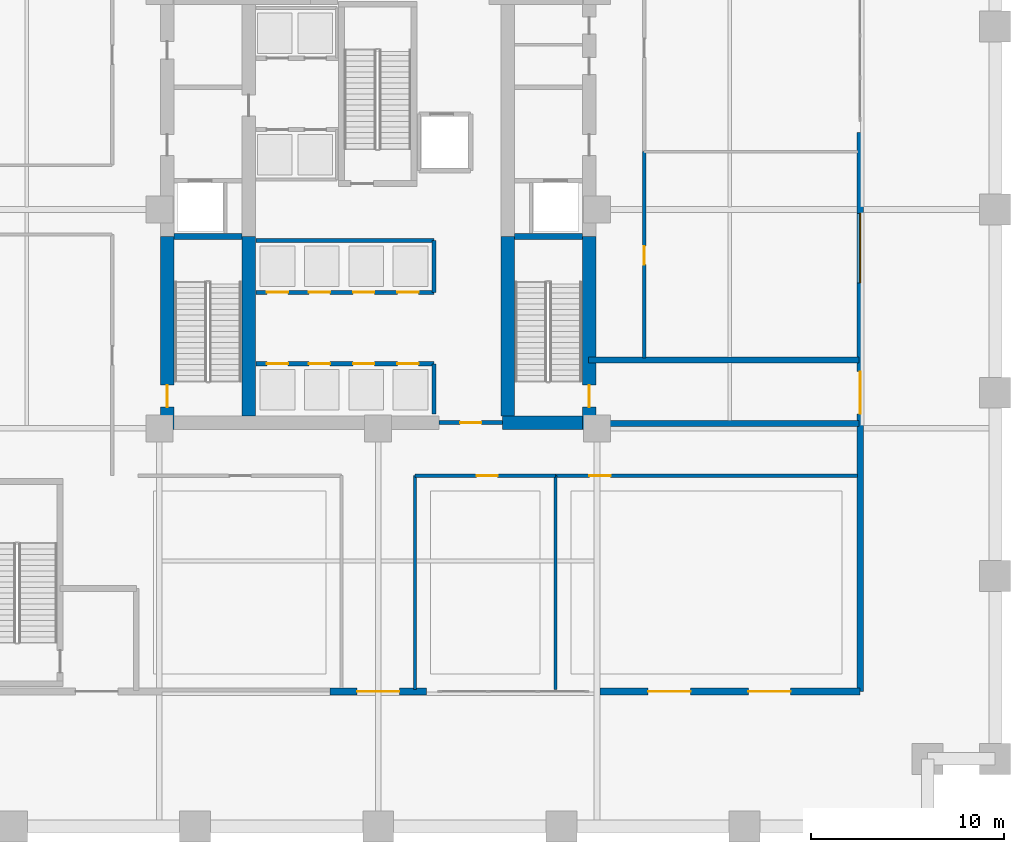
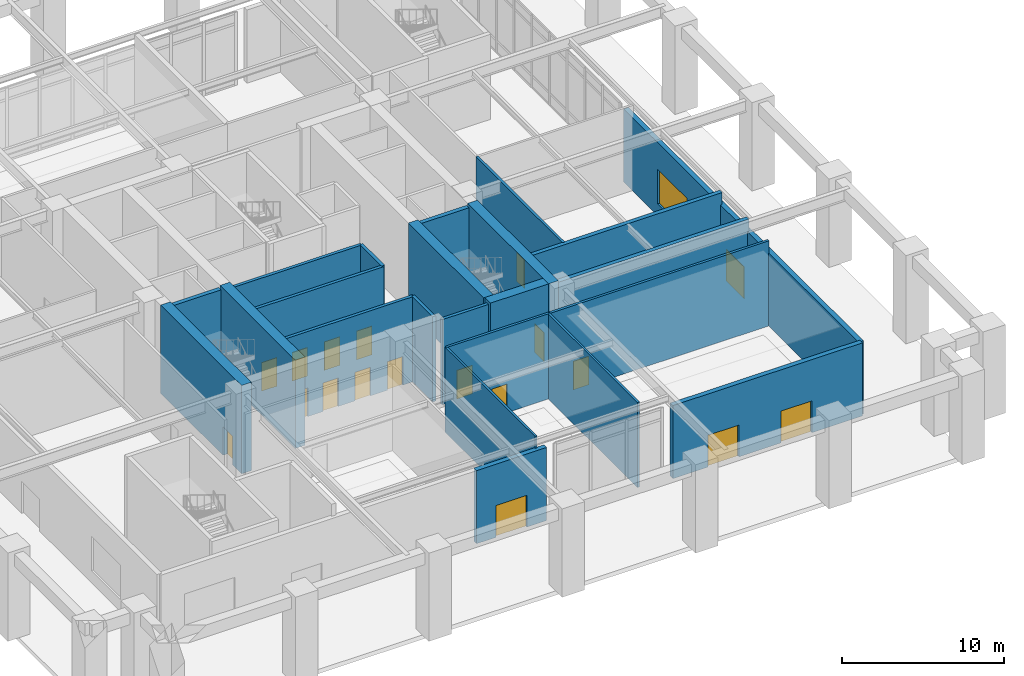
# One storey, part 9 of 17: 23 walls, 18 doors, 1 window, 19 openings.
"""IFC4 building model written with IfcOpenShell, lengths in metres."""

from ifc_helpers import new_model, si_unit, direction, frame, frame_2d, origin, place, context, subcontext, project, spatial, rectangle, extrude, material, layer, layer_set, type_object, element, fill, save


model = new_model("IFC4")

# Units and contexts
model_context = context("Model", 3, precision=1e-05, world=origin(), true_north=direction((0.0, 1.0)))
body_context = subcontext(model_context, "Body", "Model", "MODEL_VIEW")
ifc_project = project(units=[si_unit("LENGTHUNIT", "METRE"), si_unit("AREAUNIT", "SQUARE_METRE"), si_unit("VOLUMEUNIT", "CUBIC_METRE"), si_unit("PLANEANGLEUNIT", "RADIAN"), si_unit("MASSUNIT", "GRAM", prefix="KILO")], contexts=[model_context])

# Site, building, storey
site_placement = place(None, origin())
site = spatial("IfcSite", under=ifc_project, at=site_placement, CompositionType="ELEMENT")
building_placement = place(site_placement, origin())
building = spatial("IfcBuilding", under=site, at=building_placement, Name="Nhamokura Convention Tower", CompositionType="ELEMENT")
storey_placement = place(building_placement, origin())
storey = spatial("IfcBuildingStorey", under=building, at=storey_placement, Name="L00", CompositionType="ELEMENT", Elevation=0.0)

# Wall, opening, door
ifc_material_1 = material(Name="Warm buff architectural precast concrete C45/55", Category="concrete")
ifc_layer_1 = layer(ifc_material_1, 0.340087890625)
ifc_layer_set_1 = layer_set([ifc_layer_1], Name="CastStoneBaseWall_340")
wall_type_1 = type_object("IfcWallType", Name="CastStoneBaseWall_340", PredefinedType="USERDEFINED", material=ifc_layer_set_1)
wall_1_placement = place(storey_placement, frame((34.5, 7.0, 0.0), z_axis=(0.0, 0.0, 1.0), x_axis=(-1.0, 0.0, 0.0)))
wall_1 = element("IfcWall", 1, at=wall_1_placement, inside=storey, type_object=wall_type_1, Name="L00 Arrival Pavilion Wall SC", ObjectType="SPANDREL_WALL", PredefinedType="USERDEFINED", context=body_context, shape_type="SweptSolid", body=[
    extrude(rectangle(XDim=5.0, YDim=0.340087890625, at=frame_2d((2.5, 0.0))), origin(), (0.0, 0.0, 1.0), 5.510009765625),
])
opening_1_placement = place(wall_1_placement, frame((1.39990234375, 0.0, 0.0)))
opening_1 = element("IfcOpeningElement", 2, at=opening_1_placement, cuts=wall_1, Name="Opening D-01", PredefinedType="OPENING", context=body_context, shape_type="SweptSolid", body=[
    extrude(rectangle(XDim=2.199951171875, YDim=2.39990234375, at=frame_2d((1.10009765625, 1.199951171875))), frame((0.0, 0.179931640625, 0.0), z_axis=(0.0, -1.0, 0.0), x_axis=(1.0, 0.0, 0.0)), (0.0, 0.0, 1.0), 0.360107421875),
])
ifc_material_2 = material(Name="Anodised bronze aluminium AA6063-T6", Category="aluminium")
door_type_1 = type_object("IfcDoorType", Name="FinalExitDoubleDoor_2200", OperationType="DOUBLE_DOOR_SINGLE_SWING", PredefinedType="DOOR", material=ifc_material_2)
door_1_placement = place(opening_1_placement, origin())
door_1 = element("IfcDoor", 3, at=door_1_placement, inside=storey, type_object=door_type_1, Name="L00 Pedestrian Final Exit Door EX-02", OperationType="DOUBLE_DOOR_SINGLE_SWING", OverallHeight=2.39990234375, OverallWidth=2.199951171875, PredefinedType="DOOR", context=body_context, shape_type="SweptSolid", body=[
    extrude(rectangle(XDim=2.199951171875, YDim=2.39990234375, at=frame_2d((1.10009765625, 1.199951171875))), frame((0.0, 0.02490234375, 0.0), z_axis=(0.0, -1.0, 0.0), x_axis=(1.0, 0.0, 0.0)), (0.0, 0.0, 1.0), 0.050048828125),
])
fill(opening_1, door_1)

# Wall, openings, doors
wall_2_placement = place(storey_placement, frame((57.0, 7.0, 0.0), z_axis=(0.0, 0.0, 1.0), x_axis=(-1.0, 0.0, 0.0)))
wall_2 = element("IfcWall", 4, at=wall_2_placement, inside=storey, type_object=wall_type_1, Name="L00 Arrival Pavilion Wall SR", ObjectType="SPANDREL_WALL", PredefinedType="USERDEFINED", context=body_context, shape_type="SweptSolid", body=[
    extrude(rectangle(XDim=13.5, YDim=0.340087890625, at=frame_2d((6.75, 0.0))), origin(), (0.0, 0.0, 1.0), 5.510009765625),
])
opening_2_placement = place(wall_2_placement, frame((3.60009765625, 0.0, 0.0)))
opening_2 = element("IfcOpeningElement", 5, at=opening_2_placement, cuts=wall_2, Name="Opening D-01", PredefinedType="OPENING", context=body_context, shape_type="SweptSolid", body=[
    extrude(rectangle(XDim=2.199951171875, YDim=2.39990234375, at=frame_2d((1.10009765625, 1.199951171875))), frame((0.0, 0.179931640625, 0.0), z_axis=(0.0, -1.0, 0.0), x_axis=(1.0, 0.0, 0.0)), (0.0, 0.0, 1.0), 0.360107421875),
])
opening_3_placement = place(wall_2_placement, frame((8.800048828125, 0.0, 0.0)))
opening_3 = element("IfcOpeningElement", 6, at=opening_3_placement, cuts=wall_2, Name="Opening D-01", PredefinedType="OPENING", context=body_context, shape_type="SweptSolid", body=[
    extrude(rectangle(XDim=2.199951171875, YDim=2.39990234375, at=frame_2d((1.10009765625, 1.199951171875))), frame((0.0, 0.179931640625, 0.0), z_axis=(0.0, -1.0, 0.0), x_axis=(1.0, 0.0, 0.0)), (0.0, 0.0, 1.0), 0.360107421875),
])
door_2_placement = place(opening_2_placement, origin())
door_2 = element("IfcDoor", 7, at=door_2_placement, inside=storey, type_object=door_type_1, Name="L00 Pedestrian Final Exit Door EX-03", OperationType="DOUBLE_DOOR_SINGLE_SWING", OverallHeight=2.39990234375, OverallWidth=2.199951171875, PredefinedType="DOOR", context=body_context, shape_type="SweptSolid", body=[
    extrude(rectangle(XDim=2.199951171875, YDim=2.39990234375, at=frame_2d((1.10009765625, 1.199951171875))), frame((0.0, 0.02490234375, 0.0), z_axis=(0.0, -1.0, 0.0), x_axis=(1.0, 0.0, 0.0)), (0.0, 0.0, 1.0), 0.050048828125),
])
fill(opening_2, door_2)
door_3_placement = place(opening_3_placement, origin())
door_3 = element("IfcDoor", 8, at=door_3_placement, inside=storey, type_object=door_type_1, Name="L00 Pedestrian Final Exit Door EX-04", OperationType="DOUBLE_DOOR_SINGLE_SWING", OverallHeight=2.39990234375, OverallWidth=2.199951171875, PredefinedType="DOOR", context=body_context, shape_type="SweptSolid", body=[
    extrude(rectangle(XDim=2.199951171875, YDim=2.39990234375, at=frame_2d((1.10009765625, 1.199951171875))), frame((0.0, 0.02490234375, 0.0), z_axis=(0.0, -1.0, 0.0), x_axis=(1.0, 0.0, 0.0)), (0.0, 0.0, 1.0), 0.050048828125),
])
fill(opening_3, door_3)

# Wall, openings, door, window
wall_3_placement = place(storey_placement, frame((57.0, 36.0, 0.0), z_axis=(0.0, 0.0, 1.0), x_axis=(0.0, -1.0, 0.0)))
wall_3 = element("IfcWall", 9, at=wall_3_placement, inside=storey, type_object=wall_type_1, Name="L00 Arrival Pavilion Wall ES", ObjectType="SPANDREL_WALL", PredefinedType="USERDEFINED", context=body_context, shape_type="SweptSolid", body=[
    extrude(rectangle(XDim=29.0, YDim=0.340087890625, at=frame_2d((14.5, 0.0))), origin(), (0.0, 0.0, 1.0), 5.510009765625),
])
opening_4_placement = place(wall_3_placement, frame((12.39990234375, 0.0, 0.0)))
opening_4 = element("IfcOpeningElement", 10, at=opening_4_placement, cuts=wall_3, Name="Opening D-01", PredefinedType="OPENING", context=body_context, shape_type="SweptSolid", body=[
    extrude(rectangle(XDim=2.199951171875, YDim=2.39990234375, at=frame_2d((1.10009765625, 1.199951171875))), frame((0.0, 0.179931640625, 0.0), z_axis=(0.0, -1.0, 0.0), x_axis=(1.0, 0.0, 0.0)), (0.0, 0.0, 1.0), 0.360107421875),
])
opening_5_placement = place(wall_3_placement, frame((4.199951171875, 0.0, 0.89990234375)))
opening_5 = element("IfcOpeningElement", 11, at=opening_5_placement, cuts=wall_3, Name="Opening W-01", PredefinedType="OPENING", context=body_context, shape_type="SweptSolid", body=[
    extrude(rectangle(XDim=3.60009765625, YDim=2.60009765625, at=frame_2d((1.800048828125, 1.300048828125))), frame((0.0, 0.179931640625, 0.0), z_axis=(0.0, -1.0, 0.0), x_axis=(1.0, 0.0, 0.0)), (0.0, 0.0, 1.0), 0.360107421875),
])
door_4_placement = place(opening_4_placement, origin())
door_4 = element("IfcDoor", 12, at=door_4_placement, inside=storey, type_object=door_type_1, Name="L00 Pedestrian Final Exit Door EX-10", OperationType="DOUBLE_DOOR_SINGLE_SWING", OverallHeight=2.39990234375, OverallWidth=2.199951171875, PredefinedType="DOOR", context=body_context, shape_type="SweptSolid", body=[
    extrude(rectangle(XDim=2.199951171875, YDim=2.39990234375, at=frame_2d((1.10009765625, 1.199951171875))), frame((0.0, 0.02490234375, 0.0), z_axis=(0.0, -1.0, 0.0), x_axis=(1.0, 0.0, 0.0)), (0.0, 0.0, 1.0), 0.050048828125),
])
fill(opening_4, door_4)
ifc_material_3 = material(Name="Solar-control bronze low-E double glass", Category="glass")
window_type = type_object("IfcWindowType", Name="PodiumClerestoryWindow_3600", PartitioningType="TRIPLE_PANEL_VERTICAL", PredefinedType="WINDOW", material=ifc_material_3)
window_placement = place(opening_5_placement, origin())
window = element("IfcWindow", 13, at=window_placement, inside=storey, type_object=window_type, Name="L00 Pavilion Window WIN-ES", OverallHeight=2.60009765625, OverallWidth=3.60009765625, PartitioningType="SINGLE_PANEL", PredefinedType="WINDOW", context=body_context, shape_type="SweptSolid", body=[
    extrude(rectangle(XDim=3.60009765625, YDim=2.60009765625, at=frame_2d((1.800048828125, 1.300048828125))), frame((0.0, 0.030029296875, 0.0), z_axis=(0.0, -1.0, 0.0), x_axis=(1.0, 0.0, 0.0)), (0.0, 0.0, 1.0), 0.06005859375),
])
fill(opening_5, window)

# Wall, opening, door
ifc_material_4 = material(Name="Concrete C70/85", Category="concrete")
ifc_layer_2 = layer(ifc_material_4, 0.699951171875)
ifc_layer_set_2 = layer_set([ifc_layer_2], Name="CoreShearWall_700")
wall_type_2 = type_object("IfcWallType", Name="CoreShearWall_700", PredefinedType="SHEAR", material=ifc_layer_set_2)
wall_4_placement = place(storey_placement, frame((21.06005859375, 20.60009765625, 0.0), z_axis=(0.0, 0.0, 1.0), x_axis=(0.0, 1.0, 0.0)))
wall_4 = element("IfcWall", 14, at=wall_4_placement, inside=storey, type_object=wall_type_2, Name="L00 Core Shear Wall CW-WS", PredefinedType="SHEAR", context=body_context, shape_type="SweptSolid", body=[
    extrude(rectangle(XDim=10.0, YDim=0.699951171875, at=frame_2d((5.0, 0.0))), origin(), (0.0, 0.0, 1.0), 6.64990234375),
])
opening_6_placement = place(wall_4_placement, frame((1.14990234375, 0.0, 0.0)))
opening_6 = element("IfcOpeningElement", 15, at=opening_6_placement, cuts=wall_4, Name="Opening D-04", PredefinedType="OPENING", context=body_context, shape_type="SweptSolid", body=[
    extrude(rectangle(XDim=1.14990234375, YDim=2.14990234375, at=frame_2d((0.574951171875, 1.074951171875))), frame((0.0, 0.35986328125, 0.0), z_axis=(0.0, -1.0, 0.0), x_axis=(1.0, 0.0, 0.0)), (0.0, 0.0, 1.0), 0.719970703125),
])
ifc_material_5 = material(Name="Fire-rated steel door", Category="steel")
door_type_2 = type_object("IfcDoorType", Name="StairSmokeDoor_1150", OperationType="NOTDEFINED", PredefinedType="DOOR", material=ifc_material_5)
door_5_placement = place(opening_6_placement, origin())
door_5 = element("IfcDoor", 16, at=door_5_placement, inside=storey, type_object=door_type_2, Name="L00 Core Door INT-L00-D-ST01", OperationType="SINGLE_SWING_LEFT", OverallHeight=2.14990234375, OverallWidth=1.14990234375, PredefinedType="DOOR", context=body_context, shape_type="SweptSolid", body=[
    extrude(rectangle(XDim=1.14990234375, YDim=2.14990234375, at=frame_2d((0.574951171875, 1.074951171875))), frame((0.0, 0.02490234375, 0.0), z_axis=(0.0, -1.0, 0.0), x_axis=(1.0, 0.0, 0.0)), (0.0, 0.0, 1.0), 0.050048828125),
])
fill(opening_6, door_5)

wall_5_placement = place(storey_placement, frame((42.93994140625, 20.60009765625, 0.0), z_axis=(0.0, 0.0, 1.0), x_axis=(0.0, 1.0, 0.0)))
wall_5 = element("IfcWall", 17, at=wall_5_placement, inside=storey, type_object=wall_type_2, Name="L00 Core Shear Wall CW-ES", PredefinedType="SHEAR", context=body_context, shape_type="SweptSolid", body=[
    extrude(rectangle(XDim=10.0, YDim=0.699951171875, at=frame_2d((5.0, 0.0))), origin(), (0.0, 0.0, 1.0), 6.64990234375),
])
opening_7_placement = place(wall_5_placement, frame((1.14990234375, 0.0, 0.0)))
opening_7 = element("IfcOpeningElement", 18, at=opening_7_placement, cuts=wall_5, Name="Opening D-04", PredefinedType="OPENING", context=body_context, shape_type="SweptSolid", body=[
    extrude(rectangle(XDim=1.14990234375, YDim=2.14990234375, at=frame_2d((0.574951171875, 1.074951171875))), frame((0.0, 0.35986328125, 0.0), z_axis=(0.0, -1.0, 0.0), x_axis=(1.0, 0.0, 0.0)), (0.0, 0.0, 1.0), 0.719970703125),
])
door_6_placement = place(opening_7_placement, origin())
door_6 = element("IfcDoor", 19, at=door_6_placement, inside=storey, type_object=door_type_2, Name="L00 Core Door INT-L00-D-ST02", OperationType="SINGLE_SWING_RIGHT", OverallHeight=2.14990234375, OverallWidth=1.14990234375, PredefinedType="DOOR", context=body_context, shape_type="SweptSolid", body=[
    extrude(rectangle(XDim=1.14990234375, YDim=2.14990234375, at=frame_2d((0.574951171875, 1.074951171875))), frame((0.0, 0.02490234375, 0.0), z_axis=(0.0, -1.0, 0.0), x_axis=(1.0, 0.0, 0.0)), (0.0, 0.0, 1.0), 0.050048828125),
])
fill(opening_7, door_6)

# Walls
wall_6_placement = place(storey_placement, frame((38.449951171875, 20.949951171875, 0.0), z_axis=(0.0, 0.0, 1.0), x_axis=(1.0, 0.0, 0.0)))
element("IfcWall", 20, at=wall_6_placement, inside=storey, type_object=wall_type_2, Name="L00 Core Shear Wall CW-S2", PredefinedType="SHEAR", context=body_context, shape_type="SweptSolid", body=[
    extrude(rectangle(XDim=4.14013671875, YDim=0.699951171875, at=frame_2d((2.070068359375, 0.0))), origin(), (0.0, 0.0, 1.0), 6.64990234375),
])
for number, where, z_axis, x_axis, name in (
    (21, (25.2900390625, 21.300048828125, 0.0), (0.0, 0.0, 1.0), (0.0, 1.0, 0.0), "L00 Core Shear Wall CW-IWS"),
    (22, (38.7099609375, 21.300048828125, 0.0), (0.0, 0.0, 1.0), (0.0, 1.0, 0.0), "L00 Core Shear Wall CW-IES"),
):
    element("IfcWall", number, at=place(storey_placement, frame(where, z_axis=z_axis, x_axis=x_axis)), inside=storey, type_object=wall_type_2, Name=name, PredefinedType="SHEAR", context=body_context, shape_type="SweptSolid", body=[
        extrude(rectangle(XDim=9.300048828125, YDim=0.699951171875, at=frame_2d((4.64990234375, 0.0))), origin(), (0.0, 0.0, 1.0), 6.64990234375),
    ])

# Wall, opening, door
ifc_material_6 = material(Name="Fire-rated gypsum and masonry partition", Category="masonry")
ifc_layer_3 = layer(ifc_material_6, 0.179931640625)
ifc_layer_set_3 = layer_set([ifc_layer_3], Name="CorridorRatedWall_180")
wall_type_3 = type_object("IfcWallType", Name="CorridorRatedWall_180", PredefinedType="STANDARD", material=ifc_layer_set_3)
wall_7_placement = place(storey_placement, frame((33.89990234375, 18.199951171875, 0.0), z_axis=(0.0, 0.0, 1.0), x_axis=(1.0, 0.0, 0.0)))
wall_7 = element("IfcWall", 23, at=wall_7_placement, inside=storey, type_object=wall_type_3, Name="L00 Wall INT-L00-CW-SE00", PredefinedType="STANDARD", context=body_context, shape_type="SweptSolid", body=[
    extrude(rectangle(XDim=7.300048828125, YDim=0.179931640625, at=frame_2d((3.64990234375, 0.0))), origin(), (0.0, 0.0, 1.0), 6.409912109375),
])
opening_8_placement = place(wall_7_placement, frame((3.199951171875, 0.0, 0.0)))
opening_8 = element("IfcOpeningElement", 24, at=opening_8_placement, cuts=wall_7, Name="Opening D-05", PredefinedType="OPENING", context=body_context, shape_type="SweptSolid", body=[
    extrude(rectangle(XDim=1.10009765625, YDim=2.14990234375, at=frame_2d((0.550048828125, 1.074951171875))), frame((0.0, 0.099853515625, 0.0), z_axis=(0.0, -1.0, 0.0), x_axis=(1.0, 0.0, 0.0)), (0.0, 0.0, 1.0), 0.199951171875),
])
ifc_material_7 = material(Name="Fire-rated steel door", Category="steel")
door_type_3 = type_object("IfcDoorType", Name="FireLobbyDoor_1100", OperationType="NOTDEFINED", PredefinedType="DOOR", material=ifc_material_7)
door_7_placement = place(opening_8_placement, origin())
door_7 = element("IfcDoor", 25, at=door_7_placement, inside=storey, type_object=door_type_3, Name="L00 Hotel Arrival Lobby SE01 Door", OperationType="SINGLE_SWING_LEFT", OverallHeight=2.14990234375, OverallWidth=1.10009765625, PredefinedType="DOOR", context=body_context, shape_type="SweptSolid", body=[
    extrude(rectangle(XDim=1.10009765625, YDim=2.14990234375, at=frame_2d((0.550048828125, 1.074951171875))), frame((0.0, 0.02490234375, 0.0), z_axis=(0.0, -1.0, 0.0), x_axis=(1.0, 0.0, 0.0)), (0.0, 0.0, 1.0), 0.050048828125),
])
fill(opening_8, door_7)

wall_8_placement = place(storey_placement, frame((41.199951171875, 18.199951171875, 0.0), z_axis=(0.0, 0.0, 1.0), x_axis=(1.0, 0.0, 0.0)))
wall_8 = element("IfcWall", 26, at=wall_8_placement, inside=storey, type_object=wall_type_3, Name="L00 Wall INT-L00-CW-SE01", PredefinedType="STANDARD", context=body_context, shape_type="SweptSolid", body=[
    extrude(rectangle(XDim=15.650146484375, YDim=0.179931640625, at=frame_2d((7.8251953125, 0.0))), origin(), (0.0, 0.0, 1.0), 6.409912109375),
])
opening_9_placement = place(wall_8_placement, frame((1.75, 0.0, 0.0)))
opening_9 = element("IfcOpeningElement", 27, at=opening_9_placement, cuts=wall_8, Name="Opening D-05", PredefinedType="OPENING", context=body_context, shape_type="SweptSolid", body=[
    extrude(rectangle(XDim=1.10009765625, YDim=2.14990234375, at=frame_2d((0.550048828125, 1.074951171875))), frame((0.0, 0.099853515625, 0.0), z_axis=(0.0, -1.0, 0.0), x_axis=(1.0, 0.0, 0.0)), (0.0, 0.0, 1.0), 0.199951171875),
])
door_8_placement = place(opening_9_placement, origin())
door_8 = element("IfcDoor", 28, at=door_8_placement, inside=storey, type_object=door_type_3, Name="L00 Cafe Kiosk SE02 Door", OperationType="SINGLE_SWING_RIGHT", OverallHeight=2.14990234375, OverallWidth=1.10009765625, PredefinedType="DOOR", context=body_context, shape_type="SweptSolid", body=[
    extrude(rectangle(XDim=1.10009765625, YDim=2.14990234375, at=frame_2d((0.550048828125, 1.074951171875))), frame((0.0, 0.02490234375, 0.0), z_axis=(0.0, -1.0, 0.0), x_axis=(1.0, 0.0, 0.0)), (0.0, 0.0, 1.0), 0.050048828125),
])
fill(opening_9, door_8)

wall_9_placement = place(storey_placement, frame((45.800048828125, 24.300048828125, 0.0), z_axis=(0.0, 0.0, 1.0), x_axis=(0.0, 1.0, 0.0)))
wall_9 = element("IfcWall", 29, at=wall_9_placement, inside=storey, type_object=wall_type_3, Name="L00 Wall INT-L00-CW-E00", PredefinedType="STANDARD", context=body_context, shape_type="SweptSolid", body=[
    extrude(rectangle(XDim=10.699951171875, YDim=0.179931640625, at=frame_2d((5.35009765625, 0.0))), origin(), (0.0, 0.0, 1.0), 6.409912109375),
])
opening_10_placement = place(wall_9_placement, frame((4.85009765625, 0.0, 0.0)))
opening_10 = element("IfcOpeningElement", 30, at=opening_10_placement, cuts=wall_9, Name="Opening D-09", PredefinedType="OPENING", context=body_context, shape_type="SweptSolid", body=[
    extrude(rectangle(XDim=0.949951171875, YDim=2.14990234375, at=frame_2d((0.47509765625, 1.074951171875))), frame((0.0, 0.099853515625, 0.0), z_axis=(0.0, -1.0, 0.0), x_axis=(1.0, 0.0, 0.0)), (0.0, 0.0, 1.0), 0.199951171875),
])
ifc_material_8 = material(Name="Solid oak hardwood", Category="wood")
door_type_4 = type_object("IfcDoorType", Name="MeetingRoomDoor_950", OperationType="NOTDEFINED", PredefinedType="DOOR", material=ifc_material_8)
door_9_placement = place(opening_10_placement, origin())
door_9 = element("IfcDoor", 31, at=door_9_placement, inside=storey, type_object=door_type_4, Name="L00 Convention Information Desk E01 Door", OperationType="SINGLE_SWING_LEFT", OverallHeight=2.14990234375, OverallWidth=0.949951171875, PredefinedType="DOOR", context=body_context, shape_type="SweptSolid", body=[
    extrude(rectangle(XDim=0.949951171875, YDim=2.14990234375, at=frame_2d((0.47509765625, 1.074951171875))), frame((0.0, 0.02490234375, 0.0), z_axis=(0.0, -1.0, 0.0), x_axis=(1.0, 0.0, 0.0)), (0.0, 0.0, 1.0), 0.050048828125),
])
fill(opening_10, door_9)

ifc_material_9 = material(Name="Autoclaved concrete blockwork", Category="masonry")
ifc_layer_4 = layer(ifc_material_9, 0.219970703125)
ifc_layer_set_4 = layer_set([ifc_layer_4], Name="FireLobbyWall_220")
wall_type_4 = type_object("IfcWallType", Name="FireLobbyWall_220", PredefinedType="STANDARD", material=ifc_layer_set_4)
wall_10_placement = place(storey_placement, frame((35.14990234375, 20.949951171875, 0.0), z_axis=(0.0, 0.0, 1.0), x_axis=(1.0, 0.0, 0.0)))
wall_10 = element("IfcWall", 32, at=wall_10_placement, inside=storey, type_object=wall_type_4, Name="L00 Wall INT-L00-SPORT-S", PredefinedType="STANDARD", context=body_context, shape_type="SweptSolid", body=[
    extrude(rectangle(XDim=3.300048828125, YDim=0.219970703125, at=frame_2d((1.64990234375, 0.0))), origin(), (0.0, 0.0, 1.0), 6.409912109375),
])
opening_11_placement = place(wall_10_placement, frame((1.10009765625, 0.0, 0.0)))
opening_11 = element("IfcOpeningElement", 33, at=opening_11_placement, cuts=wall_10, Name="Opening D-05", PredefinedType="OPENING", context=body_context, shape_type="SweptSolid", body=[
    extrude(rectangle(XDim=1.10009765625, YDim=2.14990234375, at=frame_2d((0.550048828125, 1.074951171875))), frame((0.0, 0.119873046875, 0.0), z_axis=(0.0, -1.0, 0.0), x_axis=(1.0, 0.0, 0.0)), (0.0, 0.0, 1.0), 0.239990234375),
])
door_10_placement = place(opening_11_placement, origin())
door_10 = element("IfcDoor", 34, at=door_10_placement, inside=storey, type_object=door_type_3, Name="L00 South Core Lobby Portal Door", OperationType="SINGLE_SWING_LEFT", OverallHeight=2.14990234375, OverallWidth=1.10009765625, PredefinedType="DOOR", context=body_context, shape_type="SweptSolid", body=[
    extrude(rectangle(XDim=1.10009765625, YDim=2.14990234375, at=frame_2d((0.550048828125, 1.074951171875))), frame((0.0, 0.02490234375, 0.0), z_axis=(0.0, -1.0, 0.0), x_axis=(1.0, 0.0, 0.0)), (0.0, 0.0, 1.0), 0.050048828125),
])
fill(opening_11, door_10)

# Wall, openings, doors
wall_11_placement = place(storey_placement, frame((25.64990234375, 24.0, 0.0), z_axis=(0.0, 0.0, 1.0), x_axis=(1.0, 0.0, 0.0)))
wall_11 = element("IfcWall", 35, at=wall_11_placement, inside=storey, type_object=wall_type_4, Name="L00 Wall INT-L00-B1N", PredefinedType="STANDARD", context=body_context, shape_type="SweptSolid", body=[
    extrude(rectangle(XDim=9.25, YDim=0.219970703125, at=frame_2d((4.625, 0.0))), origin(), (0.0, 0.0, 1.0), 6.409912109375),
])
opening_12_placement = place(wall_11_placement, frame((0.580078125, 0.0, 0.0)))
opening_12 = element("IfcOpeningElement", 36, at=opening_12_placement, cuts=wall_11, Name="Opening LD-01", PredefinedType="OPENING", context=body_context, shape_type="SweptSolid", body=[
    extrude(rectangle(XDim=1.10009765625, YDim=2.14990234375, at=frame_2d((0.550048828125, 1.074951171875))), frame((0.0, 0.119873046875, 0.0), z_axis=(0.0, -1.0, 0.0), x_axis=(1.0, 0.0, 0.0)), (0.0, 0.0, 1.0), 0.239990234375),
])
opening_13_placement = place(wall_11_placement, frame((2.75, 0.0, 0.0)))
opening_13 = element("IfcOpeningElement", 37, at=opening_13_placement, cuts=wall_11, Name="Opening LD-01", PredefinedType="OPENING", context=body_context, shape_type="SweptSolid", body=[
    extrude(rectangle(XDim=1.10009765625, YDim=2.14990234375, at=frame_2d((0.550048828125, 1.074951171875))), frame((0.0, 0.119873046875, 0.0), z_axis=(0.0, -1.0, 0.0), x_axis=(1.0, 0.0, 0.0)), (0.0, 0.0, 1.0), 0.239990234375),
])
opening_14_placement = place(wall_11_placement, frame((5.050048828125, 0.0, 0.0)))
opening_14 = element("IfcOpeningElement", 38, at=opening_14_placement, cuts=wall_11, Name="Opening LD-01", PredefinedType="OPENING", context=body_context, shape_type="SweptSolid", body=[
    extrude(rectangle(XDim=1.10009765625, YDim=2.14990234375, at=frame_2d((0.550048828125, 1.074951171875))), frame((0.0, 0.119873046875, 0.0), z_axis=(0.0, -1.0, 0.0), x_axis=(1.0, 0.0, 0.0)), (0.0, 0.0, 1.0), 0.239990234375),
])
opening_15_placement = place(wall_11_placement, frame((7.35009765625, 0.0, 0.0)))
opening_15 = element("IfcOpeningElement", 39, at=opening_15_placement, cuts=wall_11, Name="Opening LD-01", PredefinedType="OPENING", context=body_context, shape_type="SweptSolid", body=[
    extrude(rectangle(XDim=1.10009765625, YDim=2.14990234375, at=frame_2d((0.550048828125, 1.074951171875))), frame((0.0, 0.119873046875, 0.0), z_axis=(0.0, -1.0, 0.0), x_axis=(1.0, 0.0, 0.0)), (0.0, 0.0, 1.0), 0.239990234375),
])
ifc_material_10 = material(Name="Anodised bronze stainless steel", Category="steel")
door_type_5 = type_object("IfcDoorType", Name="LiftLandingDoor_Passenger", OperationType="DOUBLE_DOOR_SLIDING", PredefinedType="DOOR", material=ifc_material_10)
door_11_placement = place(opening_12_placement, origin())
door_11 = element("IfcDoor", 40, at=door_11_placement, inside=storey, type_object=door_type_5, Name="L00 Lift LP-01 Landing Door", OperationType="DOUBLE_DOOR_SLIDING", OverallHeight=2.14990234375, OverallWidth=1.10009765625, PredefinedType="DOOR", context=body_context, shape_type="SweptSolid", body=[
    extrude(rectangle(XDim=1.10009765625, YDim=2.14990234375, at=frame_2d((0.550048828125, 1.074951171875))), frame((0.0, 0.02490234375, 0.0), z_axis=(0.0, -1.0, 0.0), x_axis=(1.0, 0.0, 0.0)), (0.0, 0.0, 1.0), 0.050048828125),
])
fill(opening_12, door_11)
door_12_placement = place(opening_13_placement, origin())
door_12 = element("IfcDoor", 41, at=door_12_placement, inside=storey, type_object=door_type_5, Name="L00 Lift LP-02 Landing Door", OperationType="DOUBLE_DOOR_SLIDING", OverallHeight=2.14990234375, OverallWidth=1.10009765625, PredefinedType="DOOR", context=body_context, shape_type="SweptSolid", body=[
    extrude(rectangle(XDim=1.10009765625, YDim=2.14990234375, at=frame_2d((0.550048828125, 1.074951171875))), frame((0.0, 0.02490234375, 0.0), z_axis=(0.0, -1.0, 0.0), x_axis=(1.0, 0.0, 0.0)), (0.0, 0.0, 1.0), 0.050048828125),
])
fill(opening_13, door_12)
door_13_placement = place(opening_14_placement, origin())
door_13 = element("IfcDoor", 42, at=door_13_placement, inside=storey, type_object=door_type_5, Name="L00 Lift LP-03 Landing Door", OperationType="DOUBLE_DOOR_SLIDING", OverallHeight=2.14990234375, OverallWidth=1.10009765625, PredefinedType="DOOR", context=body_context, shape_type="SweptSolid", body=[
    extrude(rectangle(XDim=1.10009765625, YDim=2.14990234375, at=frame_2d((0.550048828125, 1.074951171875))), frame((0.0, 0.02490234375, 0.0), z_axis=(0.0, -1.0, 0.0), x_axis=(1.0, 0.0, 0.0)), (0.0, 0.0, 1.0), 0.050048828125),
])
fill(opening_14, door_13)
door_14_placement = place(opening_15_placement, origin())
door_14 = element("IfcDoor", 43, at=door_14_placement, inside=storey, type_object=door_type_5, Name="L00 Lift LP-04 Landing Door", OperationType="DOUBLE_DOOR_SLIDING", OverallHeight=2.14990234375, OverallWidth=1.10009765625, PredefinedType="DOOR", context=body_context, shape_type="SweptSolid", body=[
    extrude(rectangle(XDim=1.10009765625, YDim=2.14990234375, at=frame_2d((0.550048828125, 1.074951171875))), frame((0.0, 0.02490234375, 0.0), z_axis=(0.0, -1.0, 0.0), x_axis=(1.0, 0.0, 0.0)), (0.0, 0.0, 1.0), 0.050048828125),
])
fill(opening_15, door_14)

# Wall
wall_12_placement = place(storey_placement, frame((34.89990234375, 21.39990234375, 0.0), z_axis=(0.0, 0.0, 1.0), x_axis=(0.0, 1.0, 0.0)))
element("IfcWall", 44, at=wall_12_placement, inside=storey, type_object=wall_type_4, Name="L00 Wall INT-L00-B1E", PredefinedType="STANDARD", context=body_context, shape_type="SweptSolid", body=[
    extrude(rectangle(XDim=2.60009765625, YDim=0.219970703125, at=frame_2d((1.300048828125, 0.0))), origin(), (0.0, 0.0, 1.0), 6.409912109375),
])

# Wall, openings, doors
wall_13_placement = place(storey_placement, frame((25.64990234375, 27.699951171875, 0.0), z_axis=(0.0, 0.0, 1.0), x_axis=(1.0, 0.0, 0.0)))
wall_13 = element("IfcWall", 45, at=wall_13_placement, inside=storey, type_object=wall_type_4, Name="L00 Wall INT-L00-B2S", PredefinedType="STANDARD", context=body_context, shape_type="SweptSolid", body=[
    extrude(rectangle(XDim=9.25, YDim=0.219970703125, at=frame_2d((4.625, 0.0))), origin(), (0.0, 0.0, 1.0), 6.409912109375),
])
opening_16_placement = place(wall_13_placement, frame((0.580078125, 0.0, 0.0)))
opening_16 = element("IfcOpeningElement", 46, at=opening_16_placement, cuts=wall_13, Name="Opening LD-01", PredefinedType="OPENING", context=body_context, shape_type="SweptSolid", body=[
    extrude(rectangle(XDim=1.10009765625, YDim=2.14990234375, at=frame_2d((0.550048828125, 1.074951171875))), frame((0.0, 0.119873046875, 0.0), z_axis=(0.0, -1.0, 0.0), x_axis=(1.0, 0.0, 0.0)), (0.0, 0.0, 1.0), 0.239990234375),
])
opening_17_placement = place(wall_13_placement, frame((2.75, 0.0, 0.0)))
opening_17 = element("IfcOpeningElement", 47, at=opening_17_placement, cuts=wall_13, Name="Opening LD-01", PredefinedType="OPENING", context=body_context, shape_type="SweptSolid", body=[
    extrude(rectangle(XDim=1.10009765625, YDim=2.14990234375, at=frame_2d((0.550048828125, 1.074951171875))), frame((0.0, 0.119873046875, 0.0), z_axis=(0.0, -1.0, 0.0), x_axis=(1.0, 0.0, 0.0)), (0.0, 0.0, 1.0), 0.239990234375),
])
opening_18_placement = place(wall_13_placement, frame((5.050048828125, 0.0, 0.0)))
opening_18 = element("IfcOpeningElement", 48, at=opening_18_placement, cuts=wall_13, Name="Opening LD-01", PredefinedType="OPENING", context=body_context, shape_type="SweptSolid", body=[
    extrude(rectangle(XDim=1.10009765625, YDim=2.14990234375, at=frame_2d((0.550048828125, 1.074951171875))), frame((0.0, 0.119873046875, 0.0), z_axis=(0.0, -1.0, 0.0), x_axis=(1.0, 0.0, 0.0)), (0.0, 0.0, 1.0), 0.239990234375),
])
opening_19_placement = place(wall_13_placement, frame((7.35009765625, 0.0, 0.0)))
opening_19 = element("IfcOpeningElement", 49, at=opening_19_placement, cuts=wall_13, Name="Opening LD-01", PredefinedType="OPENING", context=body_context, shape_type="SweptSolid", body=[
    extrude(rectangle(XDim=1.10009765625, YDim=2.14990234375, at=frame_2d((0.550048828125, 1.074951171875))), frame((0.0, 0.119873046875, 0.0), z_axis=(0.0, -1.0, 0.0), x_axis=(1.0, 0.0, 0.0)), (0.0, 0.0, 1.0), 0.239990234375),
])
door_15_placement = place(opening_16_placement, origin())
door_15 = element("IfcDoor", 50, at=door_15_placement, inside=storey, type_object=door_type_5, Name="L00 Lift LP-05 Landing Door", OperationType="DOUBLE_DOOR_SLIDING", OverallHeight=2.14990234375, OverallWidth=1.10009765625, PredefinedType="DOOR", context=body_context, shape_type="SweptSolid", body=[
    extrude(rectangle(XDim=1.10009765625, YDim=2.14990234375, at=frame_2d((0.550048828125, 1.074951171875))), frame((0.0, 0.02490234375, 0.0), z_axis=(0.0, -1.0, 0.0), x_axis=(1.0, 0.0, 0.0)), (0.0, 0.0, 1.0), 0.050048828125),
])
fill(opening_16, door_15)
door_16_placement = place(opening_17_placement, origin())
door_16 = element("IfcDoor", 51, at=door_16_placement, inside=storey, type_object=door_type_5, Name="L00 Lift LP-06 Landing Door", OperationType="DOUBLE_DOOR_SLIDING", OverallHeight=2.14990234375, OverallWidth=1.10009765625, PredefinedType="DOOR", context=body_context, shape_type="SweptSolid", body=[
    extrude(rectangle(XDim=1.10009765625, YDim=2.14990234375, at=frame_2d((0.550048828125, 1.074951171875))), frame((0.0, 0.02490234375, 0.0), z_axis=(0.0, -1.0, 0.0), x_axis=(1.0, 0.0, 0.0)), (0.0, 0.0, 1.0), 0.050048828125),
])
fill(opening_17, door_16)
door_17_placement = place(opening_18_placement, origin())
door_17 = element("IfcDoor", 52, at=door_17_placement, inside=storey, type_object=door_type_5, Name="L00 Lift LP-07 Landing Door", OperationType="DOUBLE_DOOR_SLIDING", OverallHeight=2.14990234375, OverallWidth=1.10009765625, PredefinedType="DOOR", context=body_context, shape_type="SweptSolid", body=[
    extrude(rectangle(XDim=1.10009765625, YDim=2.14990234375, at=frame_2d((0.550048828125, 1.074951171875))), frame((0.0, 0.02490234375, 0.0), z_axis=(0.0, -1.0, 0.0), x_axis=(1.0, 0.0, 0.0)), (0.0, 0.0, 1.0), 0.050048828125),
])
fill(opening_18, door_17)
door_18_placement = place(opening_19_placement, origin())
door_18 = element("IfcDoor", 53, at=door_18_placement, inside=storey, type_object=door_type_5, Name="L00 Lift LP-08 Landing Door", OperationType="DOUBLE_DOOR_SLIDING", OverallHeight=2.14990234375, OverallWidth=1.10009765625, PredefinedType="DOOR", context=body_context, shape_type="SweptSolid", body=[
    extrude(rectangle(XDim=1.10009765625, YDim=2.14990234375, at=frame_2d((0.550048828125, 1.074951171875))), frame((0.0, 0.02490234375, 0.0), z_axis=(0.0, -1.0, 0.0), x_axis=(1.0, 0.0, 0.0)), (0.0, 0.0, 1.0), 0.050048828125),
])
fill(opening_19, door_18)

# Walls
wall_14_placement = place(storey_placement, frame((25.64990234375, 30.39990234375, 0.0), z_axis=(0.0, 0.0, 1.0), x_axis=(1.0, 0.0, 0.0)))
element("IfcWall", 54, at=wall_14_placement, inside=storey, type_object=wall_type_4, Name="L00 Wall INT-L00-B2N", PredefinedType="STANDARD", context=body_context, shape_type="SweptSolid", body=[
    extrude(rectangle(XDim=9.25, YDim=0.219970703125, at=frame_2d((4.625, 0.0))), origin(), (0.0, 0.0, 1.0), 6.409912109375),
])
wall_15_placement = place(storey_placement, frame((34.89990234375, 27.699951171875, 0.0), z_axis=(0.0, 0.0, 1.0), x_axis=(0.0, 1.0, 0.0)))
element("IfcWall", 55, at=wall_15_placement, inside=storey, type_object=wall_type_4, Name="L00 Wall INT-L00-B2E", PredefinedType="STANDARD", context=body_context, shape_type="SweptSolid", body=[
    extrude(rectangle(XDim=2.699951171875, YDim=0.219970703125, at=frame_2d((1.35009765625, 0.0))), origin(), (0.0, 0.0, 1.0), 6.409912109375),
])
ifc_material_11 = material(Name="Acoustic gypsum stud partition", Category="masonry")
ifc_layer_5 = layer(ifc_material_11, 0.14990234375)
ifc_layer_set_5 = layer_set([ifc_layer_5], Name="InteriorPartition_150")
wall_type_5 = type_object("IfcWallType", Name="InteriorPartition_150", PredefinedType="STANDARD", material=ifc_layer_set_5)
for number, where, z_axis, x_axis, name in (
    (56, (33.89990234375, 7.10009765625, 0.0), (0.0, 0.0, 1.0), (0.0, 1.0, 0.0), "L00 Wall INT-L00-RWL-SE"),
    (57, (41.199951171875, 7.10009765625, 0.0), (0.0, 0.0, 1.0), (0.0, 1.0, 0.0), "L00 Wall INT-L00-RW-SE01"),
):
    element("IfcWall", number, at=place(storey_placement, frame(where, z_axis=z_axis, x_axis=x_axis)), inside=storey, type_object=wall_type_5, Name=name, PredefinedType="STANDARD", context=body_context, shape_type="SweptSolid", body=[
        extrude(rectangle(XDim=11.099853515625, YDim=0.14990234375, at=frame_2d((5.5498046875, 0.0))), origin(), (0.0, 0.0, 1.0), 6.409912109375),
    ])
ifc_material_12 = material(Name="Concrete C50/60", Category="concrete")
ifc_layer_6 = layer(ifc_material_12, 0.300048828125)
ifc_layer_set_6 = layer_set([ifc_layer_6], Name="ShaftEnclosureWall_300")
wall_type_6 = type_object("IfcWallType", Name="ShaftEnclosureWall_300", PredefinedType="SHEAR", material=ifc_layer_set_6)
for number, where, z_axis, x_axis, name in (
    (58, (21.409912109375, 30.60009765625, 0.0), (0.0, 0.0, 1.0), (1.0, 0.0, 0.0), "L00 Wall INT-L00-ST01-N"),
    (59, (39.06005859375, 30.60009765625, 0.0), (0.0, 0.0, 1.0), (1.0, 0.0, 0.0), "L00 Wall INT-L00-ST02-N"),
):
    element("IfcWall", number, at=place(storey_placement, frame(where, z_axis=z_axis, x_axis=x_axis)), inside=storey, type_object=wall_type_6, Name=name, PredefinedType="SHEAR", context=body_context, shape_type="SweptSolid", body=[
        extrude(rectangle(XDim=3.530029296875, YDim=0.300048828125, at=frame_2d((1.76513671875, 0.0))), origin(), (0.0, 0.0, 1.0), 6.409912109375),
    ])
for number, where, z_axis, x_axis, name in (
    (60, (42.89990234375, 20.89990234375, 0.0), (0.0, 0.0, 1.0), (1.0, 0.0, 0.0), "L00 Wall INT-L00-EXDE-S"),
    (61, (42.89990234375, 24.199951171875, 0.0), (0.0, 0.0, 1.0), (1.0, 0.0, 0.0), "L00 Wall INT-L00-EXDE-N"),
):
    element("IfcWall", number, at=place(storey_placement, frame(where, z_axis=z_axis, x_axis=x_axis)), inside=storey, type_object=wall_type_6, Name=name, PredefinedType="SHEAR", context=body_context, shape_type="SweptSolid", body=[
        extrude(rectangle(XDim=14.050048828125, YDim=0.300048828125, at=frame_2d((7.02490234375, 0.0))), origin(), (0.0, 0.0, 1.0), 6.409912109375),
    ])

save(model, "model.ifc")
